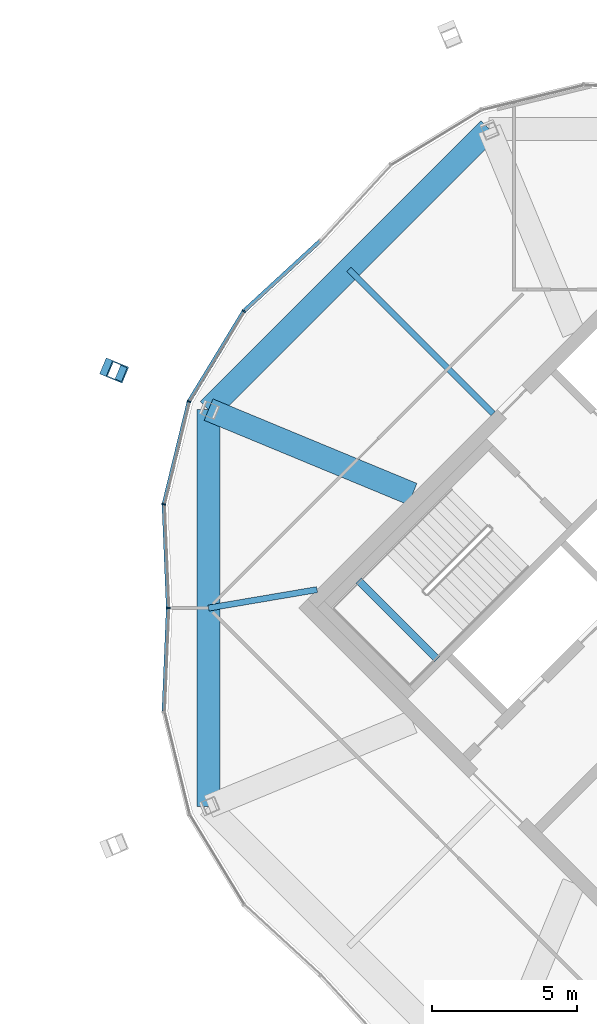
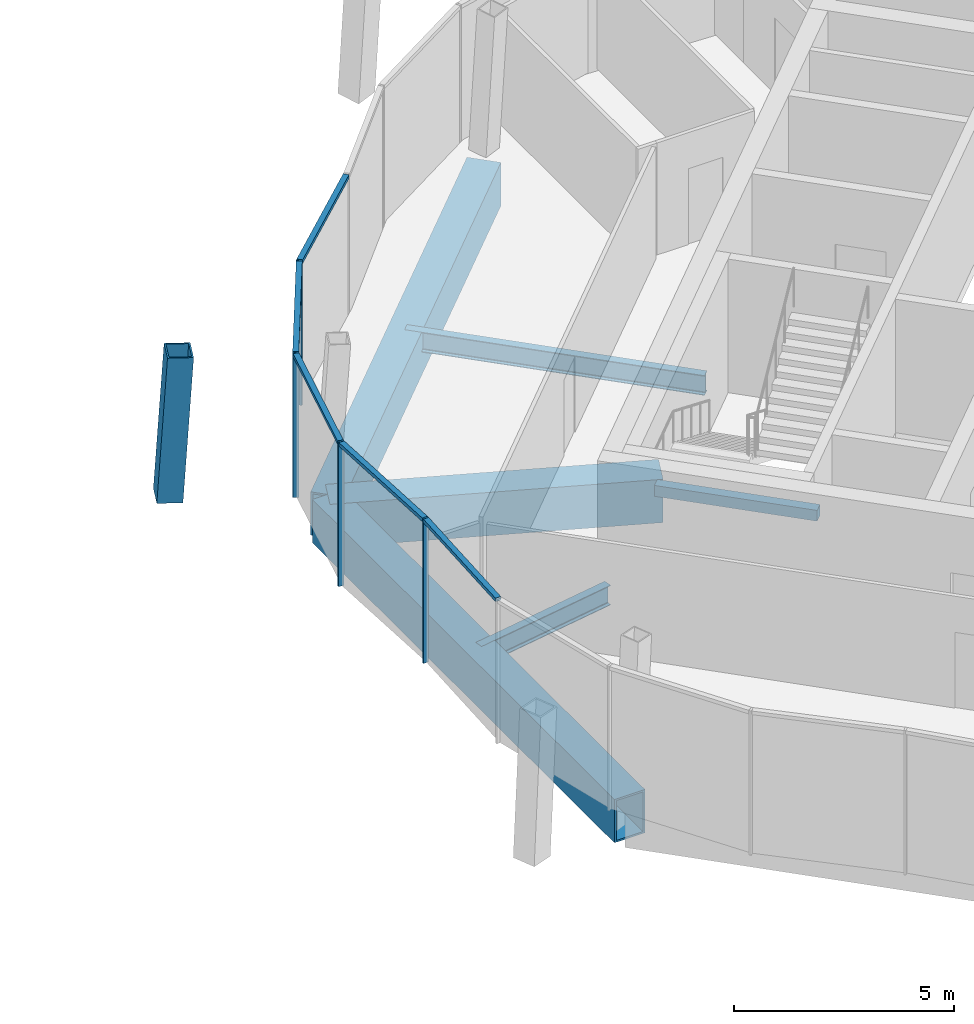
# One storey, part 10 of 22: 10 members, 6 beams, 2 elements without a shape of their own.
"""IFC4 building model written with IfcOpenShell, lengths in metres."""

import ifcopenshell
import ifcopenshell.guid

model = None  # the IFC model being written
_history = None  # IfcOwnerHistory: only IFC2X3 demands one
_inside = {}  # id of a spatial element -> (the spatial element, [elements in it])
_under = {}  # id of a project, library or spatial element -> (it, [spatial elements below it])
_declared = {}  # id of a project -> (the project, [libraries it declares])
_typed = {}  # id of a type object -> (the type object, [elements of that type])
_made_of = {}  # id of a material, layer set ... -> (it, [elements and type objects made of it])


def new_model(schema):
    """Start an empty IFC model of exactly this schema.

    Asked for "IFC4X3", IfcOpenShell would pick the latest addendum, in which some entities
    have other attributes; the version numbers below select the first issue.
    IFC2X3 requires an IfcOwnerHistory on every rooted entity: one is made here for all.
    """
    global model, _history
    if schema == "IFC4X3":
        model = ifcopenshell.file(schema_version=(4, 3, 0, 0))
    else:
        model = ifcopenshell.file(schema=schema)
    _inside.clear()
    _under.clear()
    _declared.clear()
    _typed.clear()
    _made_of.clear()
    _history = None
    if model.schema == "IFC2X3":
        org = make("IfcOrganization", Name="unknown")
        user = make(
            "IfcPersonAndOrganization",
            ThePerson=make("IfcPerson", FamilyName="unknown"),
            TheOrganization=org,
        )
        app = make(
            "IfcApplication",
            ApplicationDeveloper=org,
            Version="unknown",
            ApplicationFullName="unknown",
            ApplicationIdentifier="unknown",
        )
        _history = make(
            "IfcOwnerHistory",
            OwningUser=user,
            OwningApplication=app,
            ChangeAction="ADDED",
            CreationDate=0,
        )
    return model


def make(cls, **values):
    """One entity of the class cls with the attributes given. An attribute that is None is left unset."""
    return model.create_entity(
        cls, **{name: value for name, value in values.items() if value is not None}
    )


def rooted(cls, **values):
    """An entity with a GlobalId (a new one), such as an element, a storey or a relation."""
    return make(cls, GlobalId=ifcopenshell.guid.new(), OwnerHistory=_history, **values)


def si_unit(unit_type, name, prefix=None):
    """IfcSIUnit, for example si_unit("LENGTHUNIT", "METRE", prefix="MILLI")."""
    return make("IfcSIUnit", UnitType=unit_type, Prefix=prefix, Name=name)


def assignment(units):
    """IfcUnitAssignment: the units of a project."""
    return None if units is None else make("IfcUnitAssignment", Units=units)


def point(xyz):
    """IfcCartesianPoint."""
    return None if xyz is None else make("IfcCartesianPoint", Coordinates=xyz)


def direction(xyz):
    """IfcDirection."""
    return None if xyz is None else make("IfcDirection", DirectionRatios=xyz)


def frame(location, z_axis=None, x_axis=None):
    """IfcAxis2Placement3D, a coordinate frame: its origin and axes. An axis left out is left unset."""
    return make(
        "IfcAxis2Placement3D",
        Location=point(location),
        Axis=direction(z_axis),
        RefDirection=direction(x_axis),
    )


def frame_2d(location, x_axis=None):
    """IfcAxis2Placement2D, a coordinate frame in the plane: its origin and x axis."""
    return make(
        "IfcAxis2Placement2D", Location=point(location), RefDirection=direction(x_axis)
    )


def origin():
    """The frame at (0, 0, 0) with its axes left unset."""
    return frame((0.0, 0.0, 0.0))


def origin_2d():
    """The frame at (0, 0) in the plane with its x axis left unset."""
    return frame_2d((0.0, 0.0))


def place(relative_to, where):
    """IfcLocalPlacement: puts the frame where relative to a parent placement (None: the world)."""
    return make(
        "IfcLocalPlacement", PlacementRelTo=relative_to, RelativePlacement=where
    )


def context(
    kind, dimensions, precision=None, world=None, true_north=None, identifier=None
):
    """IfcGeometricRepresentationContext, for example the 3D "Model" context."""
    return make(
        "IfcGeometricRepresentationContext",
        ContextIdentifier=identifier,
        ContextType=kind,
        CoordinateSpaceDimension=dimensions,
        Precision=precision,
        WorldCoordinateSystem=world,
        TrueNorth=true_north,
    )


def subcontext(parent, identifier, kind, view, scale=None):
    """IfcGeometricRepresentationSubContext, for example "Body" below "Model"."""
    return make(
        "IfcGeometricRepresentationSubContext",
        ContextIdentifier=identifier,
        ContextType=kind,
        ParentContext=parent,
        TargetScale=scale,
        TargetView=view,
    )


def project(units=None, contexts=None):
    """IfcProject with its units and contexts."""
    return rooted(
        "IfcProject",
        Name="project",
        RepresentationContexts=contexts,
        UnitsInContext=assignment(units),
    )


def spatial(cls, under=None, at=None, **own):
    """A site, building, storey or space (cls), placed at a placement, below another one or the project."""
    s = rooted(cls, ObjectPlacement=at, **own)
    if under is not None:
        _under.setdefault(under.id(), (under, []))[1].append(s)
    return s


def profile(cls, at=None, kind="AREA", **sizes):
    """A parametric profile (cls). Its sizes go by their IFC names, for example OverallWidth=200.0."""
    return make(cls, ProfileType=kind, Position=at, **sizes)


def rectangle(**sizes):
    """IfcRectangleProfileDef."""
    return profile("IfcRectangleProfileDef", **sizes)


def hollow_rectangle(**sizes):
    """IfcRectangleHollowProfileDef."""
    return profile("IfcRectangleHollowProfileDef", **sizes)


def i_section(**sizes):
    """IfcIShapeProfileDef."""
    return profile("IfcIShapeProfileDef", **sizes)


def extrude(swept, where, along, depth):
    """IfcExtrudedAreaSolid: the profile swept, set in the frame where, extruded along a direction by depth."""
    return make(
        "IfcExtrudedAreaSolid",
        SweptArea=swept,
        Position=where,
        ExtrudedDirection=direction(along),
        Depth=depth,
    )


def shape(context_of_items, identifier, shape_type, items):
    """IfcShapeRepresentation: the items that make up one representation, for example the "Body"."""
    return make(
        "IfcShapeRepresentation",
        ContextOfItems=context_of_items,
        RepresentationIdentifier=identifier,
        RepresentationType=shape_type,
        Items=items,
    )


def material(Name=None, Category=None):
    """IfcMaterial."""
    return make("IfcMaterial", Name=Name, Category=Category)


def material_profile(
    of_material, cross_section, Name=None, Category=None, Priority=None
):
    """IfcMaterialProfile: a cross section and its material."""
    return make(
        "IfcMaterialProfile",
        Name=Name,
        Material=of_material,
        Profile=cross_section,
        Priority=Priority,
        Category=Category,
    )


def profile_set(profiles, Name=None, composite=None):
    """IfcMaterialProfileSet."""
    return make(
        "IfcMaterialProfileSet",
        Name=Name,
        MaterialProfiles=profiles,
        CompositeProfile=composite,
    )


def made_of(thing, what):
    """Note that an element or type object is made of a material, layer set ...; save() writes the relation."""
    if what is not None:
        _made_of.setdefault(what.id(), (what, []))[1].append(thing)
    return thing


def type_object(cls, material=None, **own):
    """A type object (cls), such as IfcWallType, which elements share."""
    return made_of(rooted(cls, **own), material)


def element(
    cls,
    number,
    at=None,
    inside=None,
    cuts=None,
    type_object=None,
    material=None,
    context=None,
    identifier="Body",
    shape_type=None,
    held_by="IfcProductDefinitionShape",
    body=None,
    shapes=None,
    **own,
):
    """One element of the class cls, such as IfcWall. Its Tag is "e" and its number.

    at: its placement. inside: the storey or other place that contains it. cuts: it is an
    opening in that element (IfcRelVoidsElement). A single representation is given by context,
    identifier, shape_type and body (its items); several are given by shapes. held_by: the class
    of the entity that holds the representations. save() writes the other relations.
    """
    e = rooted(cls, Tag="e%d" % number, ObjectPlacement=at, **own)
    if body is not None:
        shapes = [shape(context, identifier, shape_type, body)]
    if shapes is not None:
        e.Representation = make(held_by, Representations=shapes)
    if inside is not None:
        _inside.setdefault(inside.id(), (inside, []))[1].append(e)
    if cuts is not None:
        rooted(
            "IfcRelVoidsElement", RelatingBuildingElement=cuts, RelatedOpeningElement=e
        )
    if type_object is not None:
        _typed.setdefault(type_object.id(), (type_object, []))[1].append(e)
    return made_of(e, material)


def aggregate(whole, parts):
    """IfcRelAggregates: a whole, such as a stair, and the parts it consists of."""
    return rooted("IfcRelAggregates", RelatingObject=whole, RelatedObjects=parts)


def save(model, path):
    """Write the relations noted so far, then the file.

    IfcRelAggregates (storeys below a building ...), IfcRelContainedInSpatialStructure (elements
    in a storey), IfcRelDefinesByType, IfcRelAssociatesMaterial and IfcRelDeclares: one each for
    every whole, place, type object, material and project.
    """
    for whole, parts in _under.values():
        aggregate(whole, parts)
    for where, things in _inside.values():
        rooted(
            "IfcRelContainedInSpatialStructure",
            RelatedElements=things,
            RelatingStructure=where,
        )
    for kind, things in _typed.values():
        rooted("IfcRelDefinesByType", RelatedObjects=things, RelatingType=kind)
    for what, things in _made_of.values():
        rooted("IfcRelAssociatesMaterial", RelatedObjects=things, RelatingMaterial=what)
    for by, libraries in _declared.values():
        rooted("IfcRelDeclares", RelatingContext=by, RelatedDefinitions=libraries)
    model.write(path)


model = new_model("IFC4")

# Units and contexts
model_context = context("Model", 3, precision=1e-05, world=origin(), true_north=direction((0.0, 1.0)))
body_context = subcontext(model_context, "Body", "Model", "MODEL_VIEW")
ifc_project = project(units=[si_unit("LENGTHUNIT", "METRE"), si_unit("AREAUNIT", "SQUARE_METRE"), si_unit("VOLUMEUNIT", "CUBIC_METRE"), si_unit("PLANEANGLEUNIT", "RADIAN"), si_unit("MASSUNIT", "GRAM", prefix="KILO")], contexts=[model_context])

# Site, building, storey
site_placement = place(None, origin())
site = spatial("IfcSite", under=ifc_project, at=site_placement, CompositionType="ELEMENT")
building_placement = place(site_placement, origin())
building = spatial("IfcBuilding", under=site, at=building_placement, Name="Ogive Gate Towers", CompositionType="ELEMENT")
storey_placement = place(building_placement, frame((0.0, 0.0, 298.0)))
storey = spatial("IfcBuildingStorey", under=building, at=storey_placement, Name="L70", CompositionType="ELEMENT", Elevation=298.0)

# Curtain wall, members
ifc_material_1 = material(Name="Pale metal aluminium", Category="aluminium")
curtain_wall_type = type_object("IfcCurtainWallType", Name="Crown lean wall", PredefinedType="NOTDEFINED", material=ifc_material_1)
curtain_wall_1_placement = place(storey_placement, origin())
curtain_wall_1 = element("IfcCurtainWall", 1, at=curtain_wall_1_placement, inside=storey, type_object=curtain_wall_type, Name="CW5 T2 ECW04", PredefinedType="NOTDEFINED")
ifc_material_profile_1 = material_profile(ifc_material_1, rectangle(XDim=0.139892578125, YDim=0.050048828125, at=origin_2d()), Name="50 x 140 aluminium box")
ifc_profile_set_1 = profile_set([ifc_material_profile_1], Name="Pale metal aluminium")
member_type_1 = type_object("IfcMemberType", Name="Crown lean wall mullion 50 x 140", PredefinedType="MULLION", material=ifc_profile_set_1)
member_1_placement = place(storey_placement, frame((18.059814453125, -0.001220703125, -0.300048828125), z_axis=(0.0, 0.0, 1.0), x_axis=(0.99914100669, 0.041439700181, 0.0)))
member_1 = element("IfcMember", 2, at=member_1_placement, type_object=member_type_1, Name="CW5 mullion", PredefinedType="MULLION", context=body_context, shape_type="SweptSolid", body=[
    extrude(rectangle(XDim=0.139892578125, YDim=0.050048828125, at=origin_2d()), origin(), (0.0, 0.0, 1.0), 4.0),
])
member_2_placement = place(storey_placement, frame((17.911376953125, 3.585205078125, -0.300048828125), z_axis=(0.0, 0.0, 1.0), x_axis=(0.995103987926, -0.098833462017, 0.0)))
member_2 = element("IfcMember", 3, at=member_2_placement, type_object=member_type_1, Name="CW5 mullion", PredefinedType="MULLION", context=body_context, shape_type="SweptSolid", body=[
    extrude(rectangle(XDim=0.139892578125, YDim=0.050048828125, at=origin_2d()), origin(), (0.0, 0.0, 1.0), 4.0),
])
member_3_placement = place(storey_placement, frame((18.77783203125, 7.1337890625, -0.300048828125), z_axis=(0.0, 0.0, 1.0), x_axis=(0.923879532511, -0.382683432365, 0.0)))
member_3 = element("IfcMember", 4, at=member_3_placement, type_object=member_type_1, Name="CW5 mullion", PredefinedType="MULLION", context=body_context, shape_type="SweptSolid", body=[
    extrude(rectangle(XDim=0.139892578125, YDim=0.050048828125, at=origin_2d()), origin(), (0.0, 0.0, 1.0), 4.0),
])
member_4_placement = place(storey_placement, frame((20.674560546875, 10.255615234375, -0.300048828125), z_axis=(0.0, 0.0, 1.0), x_axis=(0.77351952775, -0.633772467207, 0.0)))
member_4 = element("IfcMember", 5, at=member_4_placement, type_object=member_type_1, Name="CW5 mullion", PredefinedType="MULLION", context=body_context, shape_type="SweptSolid", body=[
    extrude(rectangle(XDim=0.139892578125, YDim=0.050048828125, at=origin_2d()), origin(), (0.0, 0.0, 1.0), 4.0),
])
ifc_material_profile_2 = material_profile(ifc_material_1, rectangle(XDim=0.139892578125, YDim=0.10009765625, at=origin_2d()), Name="100 x 140 aluminium box")
ifc_profile_set_2 = profile_set([ifc_material_profile_2], Name="Pale metal aluminium")
member_type_2 = type_object("IfcMemberType", Name="Crown lean wall transom 100 x 140", PredefinedType="USERDEFINED", material=ifc_profile_set_2)
member_5_placement = place(storey_placement, frame((18.058837890625, 0.023681640625, 3.64990234375), z_axis=(-0.041435216725, 0.999141192632, 0.0), x_axis=(-0.999141192632, -0.041435216725, 0.0)))
member_5 = element("IfcMember", 6, at=member_5_placement, type_object=member_type_2, Name="CW5 transom", ObjectType="TRANSOM", PredefinedType="USERDEFINED", context=body_context, shape_type="SweptSolid", body=[
    extrude(rectangle(XDim=0.139892578125, YDim=0.10009765625, at=origin_2d()), origin(), (0.0, 0.0, 1.0), 3.53515625),
])
member_6_placement = place(storey_placement, frame((17.918212890625, 3.613525390625, 3.64990234375), z_axis=(0.237145397056, 0.971474168805, 0.0), x_axis=(-0.971474168805, 0.237145397056, 0.0)))
member_6 = element("IfcMember", 7, at=member_6_placement, type_object=member_type_2, Name="CW5 transom", ObjectType="TRANSOM", PredefinedType="USERDEFINED", context=body_context, shape_type="SweptSolid", body=[
    extrude(rectangle(XDim=0.139892578125, YDim=0.10009765625, at=origin_2d()), origin(), (0.0, 0.0, 1.0), 3.593994140625),
])
member_7_placement = place(storey_placement, frame((18.792724609375, 7.1591796875, 3.64990234375), z_axis=(0.519302475553, 0.854590509475, 0.0), x_axis=(-0.854590509475, 0.519302475553, 0.0)))
member_7 = element("IfcMember", 8, at=member_7_placement, type_object=member_type_2, Name="CW5 transom", ObjectType="TRANSOM", PredefinedType="USERDEFINED", context=body_context, shape_type="SweptSolid", body=[
    extrude(rectangle(XDim=0.139892578125, YDim=0.10009765625, at=origin_2d()), origin(), (0.0, 0.0, 1.0), 3.59423828125),
])
member_8_placement = place(storey_placement, frame((20.69580078125, 10.275390625, 3.64990234375), z_axis=(0.735814008941, 0.677183685751, 0.0), x_axis=(-0.677183685751, 0.735814008941, 0.0)))
member_8 = element("IfcMember", 9, at=member_8_placement, type_object=member_type_2, Name="CW5 transom", ObjectType="TRANSOM", PredefinedType="USERDEFINED", context=body_context, shape_type="SweptSolid", body=[
    extrude(rectangle(XDim=0.139892578125, YDim=0.10009765625, at=origin_2d()), origin(), (0.0, 0.0, 1.0), 3.535400390625),
])
aggregate(curtain_wall_1, [member_1, member_2, member_5, member_3, member_6, member_4, member_7, member_8])

# Curtain wall, member
curtain_wall_2_placement = place(storey_placement, origin())
curtain_wall_2 = element("IfcCurtainWall", 10, at=curtain_wall_2_placement, inside=storey, type_object=curtain_wall_type, Name="CW5 T2 ECW05", PredefinedType="NOTDEFINED")
member_9_placement = place(storey_placement, frame((17.912353515625, -3.555908203125, 3.64990234375), z_axis=(0.041435216725, 0.999141192632, 0.0), x_axis=(-0.999141192632, 0.041435216725, 0.0)))
member_9 = element("IfcMember", 11, at=member_9_placement, type_object=member_type_2, Name="CW5 transom", ObjectType="TRANSOM", PredefinedType="USERDEFINED", context=body_context, shape_type="SweptSolid", body=[
    extrude(rectangle(XDim=0.139892578125, YDim=0.10009765625, at=origin_2d()), origin(), (0.0, 0.0, 1.0), 3.53515625),
])
aggregate(curtain_wall_2, [member_9])

# Member
ifc_material_2 = material(Name="Steel SM460", Category="steel")
ifc_material_profile_3 = material_profile(ifc_material_2, hollow_rectangle(XDim=0.60009765625, YDim=0.60009765625, WallThickness=0.0400390625, at=origin_2d()), Name="BX 600x600x40")
ifc_profile_set_3 = profile_set([ifc_material_profile_3], Name="Steel SM460")
member_type_3 = type_object("IfcMemberType", Name="Crown rib BX 600x600x40", PredefinedType="MEMBER", material=ifc_profile_set_3)
member_10_placement = place(storey_placement, frame((16.080810546875, 8.250732421875, 0.0), z_axis=(0.056413137875, -0.023332863722, 0.99813482824), x_axis=(0.382204885379, 0.924077607992, 0.0)))
element("IfcMember", 12, at=member_10_placement, inside=storey, type_object=member_type_3, Name="T2/L70/STR004", PredefinedType="MEMBER", context=body_context, shape_type="SweptSolid", body=[
    extrude(hollow_rectangle(XDim=0.60009765625, YDim=0.60009765625, WallThickness=0.0400390625, at=origin_2d()), origin(), (0.0, 0.0, 1.0), 4.007568359375),
])

# Beams
ifc_material_profile_4 = material_profile(ifc_material_2, hollow_rectangle(XDim=0.800048828125, YDim=1.199951171875, WallThickness=0.050048828125, at=origin_2d()), Name="BX 1200x800x50")
ifc_profile_set_4 = profile_set([ifc_material_profile_4], Name="Steel SM460")
beam_type_1 = type_object("IfcBeamType", Name="Edge girder BX 1200x800x50", PredefinedType="BEAM", material=ifc_profile_set_4)
beam_1_placement = place(storey_placement, frame((29.146240234375, 16.546630859375, -0.89990234375), z_axis=(-0.707106781187, -0.707106781187, 0.0), x_axis=(0.707106781187, -0.707106781187, 0.0)))
element("IfcBeam", 13, at=beam_1_placement, inside=storey, type_object=beam_type_1, Name="T2/L70/SBM023", PredefinedType="BEAM", context=body_context, shape_type="SweptSolid", body=[
    extrude(hollow_rectangle(XDim=0.800048828125, YDim=1.199951171875, WallThickness=0.050048828125, at=origin_2d()), origin(), (0.0, 0.0, 1.0), 13.707763671875),
])
beam_2_placement = place(storey_placement, frame((19.453369140625, 6.853759765625, -0.89990234375), z_axis=(0.0, -1.0, 0.0), x_axis=(1.0, 0.0, 0.0)))
element("IfcBeam", 14, at=beam_2_placement, inside=storey, type_object=beam_type_1, Name="T2/L70/SBM024", PredefinedType="BEAM", context=body_context, shape_type="SweptSolid", body=[
    extrude(hollow_rectangle(XDim=0.800048828125, YDim=1.199951171875, WallThickness=0.050048828125, at=origin_2d()), origin(), (0.0, 0.0, 1.0), 13.70751953125),
])
ifc_material_3 = material(Name="Concrete C40/50", Category="concrete")
ifc_material_profile_5 = material_profile(ifc_material_3, rectangle(XDim=0.25, YDim=0.300048828125, at=origin_2d()), Name="RC 250x300")
ifc_profile_set_5 = profile_set([ifc_material_profile_5], Name="Concrete C40/50")
beam_type_2 = type_object("IfcBeamType", Name="Landing bearer RC 250x300", PredefinedType="BEAM", material=ifc_profile_set_5)
beam_3_placement = place(storey_placement, frame((24.64111328125, 0.94482421875, 1.64990234375), z_axis=(0.707138693938, -0.707074866995, 0.0), x_axis=(0.707074866995, 0.707138693938, 0.0)))
element("IfcBeam", 15, at=beam_3_placement, inside=storey, type_object=beam_type_2, Name="T2 L70 stair 1 landing bearer 1", PredefinedType="BEAM", context=body_context, shape_type="SweptSolid", body=[
    extrude(rectangle(XDim=0.25, YDim=0.300048828125, at=origin_2d()), origin(), (0.0, 0.0, 1.0), 3.824951171875),
])
ifc_material_4 = material(Name="Steel SM355", Category="steel")
ifc_material_profile_6 = material_profile(ifc_material_4, i_section(OverallWidth=0.2099609375, OverallDepth=0.550048828125, WebThickness=0.010986328125, FlangeThickness=0.01708984375, FilletRadius=0.02392578125, at=origin_2d()), Name="IPE 550")
ifc_profile_set_6 = profile_set([ifc_material_profile_6], Name="Steel SM355")
beam_type_3 = type_object("IfcBeamType", Name="Radial floor beam IPE 550", PredefinedType="BEAM", material=ifc_profile_set_6)
beam_4_placement = place(storey_placement, frame((29.282470703125, 6.717529296875, -0.574951171875), z_axis=(-0.707106781187, 0.707106781187, 0.0), x_axis=(-0.707106781187, -0.707106781187, 0.0)))
element("IfcBeam", 16, at=beam_4_placement, inside=storey, type_object=beam_type_3, Name="T2/L70/SBM014", PredefinedType="BEAM", context=body_context, shape_type="SweptSolid", body=[
    extrude(i_section(OverallWidth=0.2099609375, OverallDepth=0.550048828125, WebThickness=0.010986328125, FlangeThickness=0.01708984375, FilletRadius=0.02392578125, at=origin_2d()), origin(), (0.0, 0.0, 1.0), 7.046630859375),
])
beam_5_placement = place(storey_placement, frame((23.201416015625, 0.636474609375, -0.574951171875), z_axis=(-0.985885964667, -0.167418232796, 0.0), x_axis=(0.167418232796, -0.985885964667, 0.0)))
element("IfcBeam", 17, at=beam_5_placement, inside=storey, type_object=beam_type_3, Name="T2/L70/SBM016", PredefinedType="BEAM", context=body_context, shape_type="SweptSolid", body=[
    extrude(i_section(OverallWidth=0.2099609375, OverallDepth=0.550048828125, WebThickness=0.010986328125, FlangeThickness=0.01708984375, FilletRadius=0.02392578125, at=origin_2d()), origin(), (0.0, 0.0, 1.0), 3.8017578125),
])
ifc_material_profile_7 = material_profile(ifc_material_2, hollow_rectangle(XDim=0.800048828125, YDim=1.199951171875, WallThickness=0.050048828125, at=origin_2d()), Name="BX 1200x800x50")
ifc_profile_set_7 = profile_set([ifc_material_profile_7], Name="Steel SM460")
beam_type_4 = type_object("IfcBeamType", Name="Transfer radial beam BX 1200x800x50", PredefinedType="BEAM", material=ifc_profile_set_7)
beam_6_placement = place(storey_placement, frame((26.5, 3.93505859375, -0.89990234375), z_axis=(-0.923884580387, 0.382671245488, 0.0), x_axis=(-0.382671245488, -0.923884580387, 0.0)))
element("IfcBeam", 18, at=beam_6_placement, inside=storey, type_object=beam_type_4, Name="T2/L70/SBM015", PredefinedType="BEAM", context=body_context, shape_type="SweptSolid", body=[
    extrude(hollow_rectangle(XDim=0.800048828125, YDim=1.199951171875, WallThickness=0.050048828125, at=origin_2d()), origin(), (0.0, 0.0, 1.0), 7.627197265625),
])

save(model, "model.ifc")
